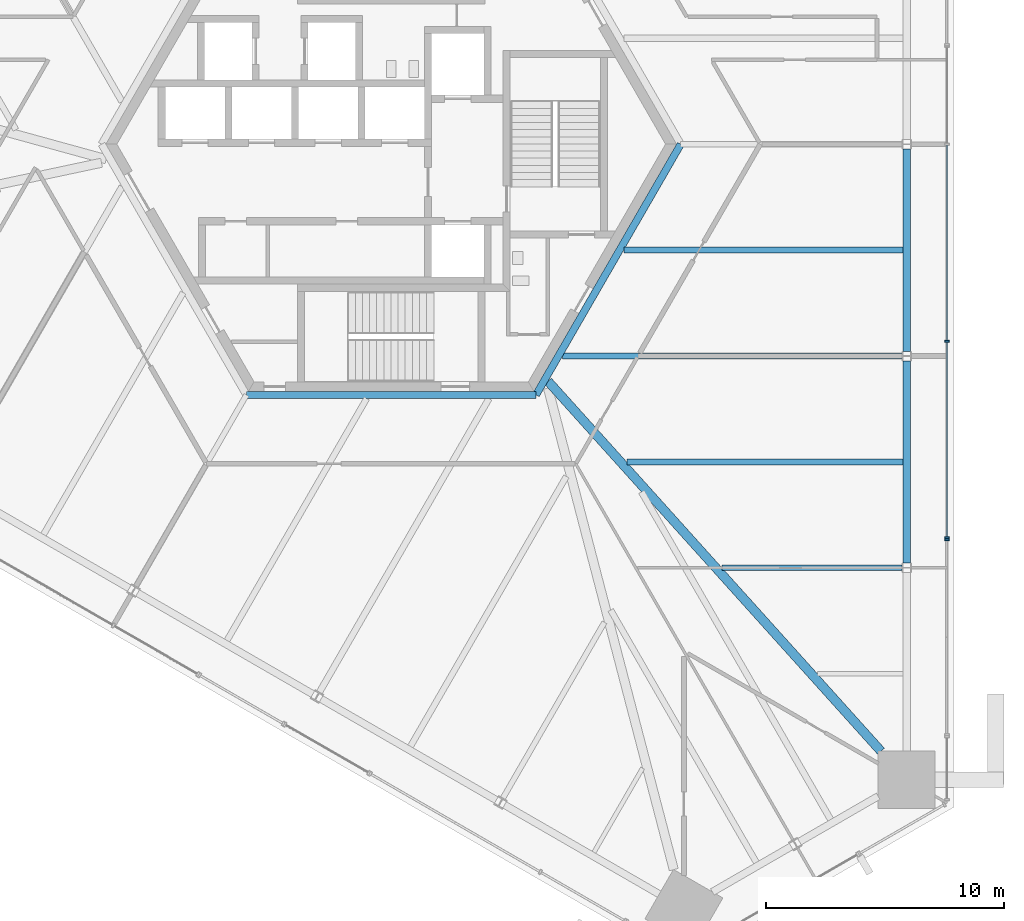
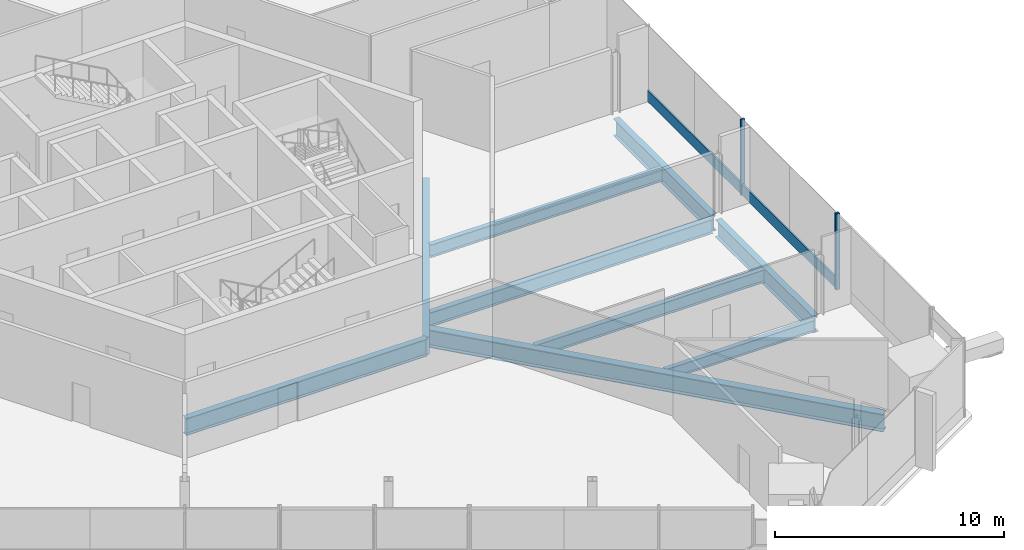
# One storey, part 5 of 22: 9 beams, 5 members, 2 elements without a shape of their own.
"""IFC4 building model written with IfcOpenShell, lengths in metres."""

from ifc_helpers import new_model, si_unit, direction, frame, origin, origin_2d, place, context, subcontext, project, spatial, rectangle, i_section, extrude, source, transform, mapped, material, material_profile, profile_set, type_object, element, aggregate, save


model = new_model("IFC4")

# Units and contexts
model_context = context("Model", 3, precision=1e-05, world=origin(), true_north=direction((0.0, 1.0)))
body_context = subcontext(model_context, "Body", "Model", "MODEL_VIEW")
ifc_project = project(units=[si_unit("LENGTHUNIT", "METRE"), si_unit("AREAUNIT", "SQUARE_METRE"), si_unit("VOLUMEUNIT", "CUBIC_METRE"), si_unit("PLANEANGLEUNIT", "RADIAN"), si_unit("MASSUNIT", "GRAM", prefix="KILO")], contexts=[model_context])

# Site, building, storey
site_placement = place(None, origin())
site = spatial("IfcSite", under=ifc_project, at=site_placement, CompositionType="ELEMENT")
building_placement = place(site_placement, origin())
building = spatial("IfcBuilding", under=site, at=building_placement, Name="Triune Harvest Tower", CompositionType="ELEMENT")
storey_placement = place(building_placement, frame((0.0, 0.0, 50.39990234375)))
storey = spatial("IfcBuildingStorey", under=building, at=storey_placement, Name="L11", CompositionType="ELEMENT", Elevation=50.39990234375)

# Beams
ifc_material_1 = material(Name="Steel ASTM A992 Gr 50", Category="steel")
ifc_material_profile_1 = material_profile(ifc_material_1, i_section(OverallWidth=0.3046875, OverallDepth=0.914306640625, WebThickness=0.0166015625, FlangeThickness=0.02587890625, at=origin_2d()), Name="W36x160")
ifc_profile_set_1 = profile_set([ifc_material_profile_1], Name="Steel ASTM A992 Gr 50")
beam_type_1 = type_object("IfcBeamType", Name="CG-1 Core ring girder W36x160", PredefinedType="BEAM", material=ifc_profile_set_1)
shared_shape_1 = source(origin(), body_context, "Body", "SweptSolid", [
    extrude(i_section(OverallWidth=0.3046875, OverallDepth=0.914306640625, WebThickness=0.0166015625, FlangeThickness=0.02587890625, at=origin_2d()), origin(), (0.0, 0.0, 1.0), 12.176025390625),
])
beam_1_placement = place(storey_placement, frame((6.087890625, -10.544677734375, -0.656982421875), z_axis=(0.5000099932, 0.866019634131, 0.0), x_axis=(-0.866019634131, 0.5000099932, 0.0)))
element("IfcBeam", 1, at=beam_1_placement, inside=storey, type_object=beam_type_1, Name="beam/L11/CG6", PredefinedType="BEAM", context=body_context, shape_type="MappedRepresentation", body=[
    mapped(shared_shape_1, transform((0.0, 0.0, 0.0), scale=1.0)),
])
shared_shape_2 = source(origin(), body_context, "Body", "SweptSolid", [
    extrude(i_section(OverallWidth=0.3046875, OverallDepth=0.914306640625, WebThickness=0.0166015625, FlangeThickness=0.02587890625, at=origin_2d()), origin(), (0.0, 0.0, 1.0), 12.17578125),
])
beam_2_placement = place(storey_placement, frame((-6.087890625, -10.544677734375, -0.656982421875), z_axis=(1.0, 0.0, 0.0), x_axis=(0.0, 1.0, 0.0)))
element("IfcBeam", 2, at=beam_2_placement, inside=storey, type_object=beam_type_1, Name="beam/L11/CG5", PredefinedType="BEAM", context=body_context, shape_type="MappedRepresentation", body=[
    mapped(shared_shape_2, transform((0.0, 0.0, 0.0), scale=1.0)),
])
ifc_material_2 = material(Name="Steel ASTM A992 Gr 50", Category="steel")
ifc_material_profile_2 = material_profile(ifc_material_2, i_section(OverallWidth=0.383544921875, OverallDepth=0.9423828125, WebThickness=0.022216796875, FlangeThickness=0.039794921875, at=origin_2d()), Name="W36x232")
ifc_profile_set_2 = profile_set([ifc_material_profile_2], Name="Steel ASTM A992 Gr 50")
beam_type_2 = type_object("IfcBeamType", Name="HG-1 Hip girder W36x232", PredefinedType="BEAM", material=ifc_profile_set_2)
shared_shape_3 = source(origin(), body_context, "Body", "SweptSolid", [
    extrude(i_section(OverallWidth=0.383544921875, OverallDepth=0.9423828125, WebThickness=0.022216796875, FlangeThickness=0.039794921875, at=origin_2d()), origin(), (0.0, 0.0, 1.0), 20.933349609375),
])
beam_3_placement = place(storey_placement, frame((20.599365234375, -25.530029296875, -0.671142578125), z_axis=(-0.668990505388, 0.743270949049, 0.0), x_axis=(-0.743270949049, -0.668990505388, 0.0)))
element("IfcBeam", 3, at=beam_3_placement, inside=storey, type_object=beam_type_2, Name="beam/L11/HG1", PredefinedType="BEAM", context=body_context, shape_type="MappedRepresentation", body=[
    mapped(shared_shape_3, transform((0.0, 0.0, 0.0), scale=1.0)),
])
ifc_material_3 = material(Name="Steel ASTM A992 Gr 50", Category="steel")
ifc_material_profile_3 = material_profile(ifc_material_3, i_section(OverallWidth=0.22900390625, OverallDepth=0.612060546875, WebThickness=0.011962890625, FlangeThickness=0.01953125, at=origin_2d()), Name="W24x84")
ifc_profile_set_3 = profile_set([ifc_material_profile_3], Name="Steel ASTM A992 Gr 50")
beam_type_3 = type_object("IfcBeamType", Name="JT-3 Floor joist W24x84", PredefinedType="JOIST", material=ifc_profile_set_3)
shared_shape_4 = source(origin(), body_context, "Body", "SweptSolid", [
    extrude(i_section(OverallWidth=0.22900390625, OverallDepth=0.612060546875, WebThickness=0.011962890625, FlangeThickness=0.01953125, at=origin_2d()), origin(), (0.0, 0.0, 1.0), 7.558349609375),
])
beam_4_placement = place(storey_placement, frame((21.476318359375, -17.820068359375, -0.506103515625), z_axis=(-1.0, 0.0, 0.0), x_axis=(0.0, -1.0, 0.0)))
element("IfcBeam", 4, at=beam_4_placement, inside=storey, type_object=beam_type_3, Name="beam/L11/JT2", PredefinedType="JOIST", context=body_context, shape_type="MappedRepresentation", body=[
    mapped(shared_shape_4, transform((0.0, 0.0, 0.0), scale=1.0)),
])
ifc_material_4 = material(Name="Steel ASTM A992 Gr 50", Category="steel")
ifc_material_profile_4 = material_profile(ifc_material_4, i_section(OverallWidth=0.2666015625, OverallDepth=0.7568359375, WebThickness=0.013916015625, FlangeThickness=0.019287109375, at=origin_2d()), Name="W30x108")
ifc_profile_set_4 = profile_set([ifc_material_profile_4], Name="Steel ASTM A992 Gr 50")
beam_type_4 = type_object("IfcBeamType", Name="JT-5 Floor joist W30x108", PredefinedType="JOIST", material=ifc_profile_set_4)
shared_shape_5 = source(origin(), body_context, "Body", "SweptSolid", [
    extrude(i_section(OverallWidth=0.2666015625, OverallDepth=0.7568359375, WebThickness=0.013916015625, FlangeThickness=0.019287109375, at=origin_2d()), origin(), (0.0, 0.0, 1.0), 14.2685546875),
])
beam_5_placement = place(storey_placement, frame((21.476318359375, -8.909912109375, -0.578369140625), z_axis=(-1.0, 0.0, 0.0), x_axis=(0.0, -1.0, 0.0)))
element("IfcBeam", 5, at=beam_5_placement, inside=storey, type_object=beam_type_4, Name="beam/L11/JT4", PredefinedType="JOIST", context=body_context, shape_type="MappedRepresentation", body=[
    mapped(shared_shape_5, transform((0.0, 0.0, 0.0), scale=1.0)),
])
ifc_material_5 = material(Name="Steel ASTM A992 Gr 50", Category="steel")
ifc_material_profile_5 = material_profile(ifc_material_5, i_section(OverallWidth=0.3046875, OverallDepth=0.914306640625, WebThickness=0.0166015625, FlangeThickness=0.02587890625, at=origin_2d()), Name="W36x160")
ifc_profile_set_5 = profile_set([ifc_material_profile_5], Name="Steel ASTM A992 Gr 50")
beam_type_5 = type_object("IfcBeamType", Name="SB-1 Spandrel beam W36x160", PredefinedType="SPANDREL", material=ifc_profile_set_5)
shared_shape_6 = source(origin(), body_context, "Body", "SweptSolid", [
    extrude(i_section(OverallWidth=0.3046875, OverallDepth=0.914306640625, WebThickness=0.0166015625, FlangeThickness=0.02587890625, at=origin_2d()), origin(), (0.0, 0.0, 1.0), 8.50634765625),
])
beam_6_placement = place(storey_placement, frame((21.679443359375, -17.6181640625, -0.656982421875), z_axis=(0.0, 1.0, 0.0), x_axis=(-1.0, 0.0, 0.0)))
element("IfcBeam", 6, at=beam_6_placement, inside=storey, type_object=beam_type_5, Name="beam/L11/SB2", PredefinedType="SPANDREL", context=body_context, shape_type="MappedRepresentation", body=[
    mapped(shared_shape_6, transform((0.0, 0.0, 0.0), scale=1.0)),
])
shared_shape_7 = source(origin(), body_context, "Body", "SweptSolid", [
    extrude(i_section(OverallWidth=0.3046875, OverallDepth=0.914306640625, WebThickness=0.0166015625, FlangeThickness=0.02587890625, at=origin_2d()), origin(), (0.0, 0.0, 1.0), 8.506103515625),
])
beam_7_placement = place(storey_placement, frame((21.679443359375, -8.7080078125, -0.656982421875), z_axis=(0.0, 1.0, 0.0), x_axis=(-1.0, 0.0, 0.0)))
element("IfcBeam", 7, at=beam_7_placement, inside=storey, type_object=beam_type_5, Name="beam/L11/SB3", PredefinedType="SPANDREL", context=body_context, shape_type="MappedRepresentation", body=[
    mapped(shared_shape_7, transform((0.0, 0.0, 0.0), scale=1.0)),
])
ifc_material_6 = material(Name="Steel ASTM A992 Gr 50", Category="steel")
ifc_material_profile_6 = material_profile(ifc_material_6, i_section(OverallWidth=0.253662109375, OverallDepth=0.683349609375, WebThickness=0.012451171875, FlangeThickness=0.01904296875, at=origin_2d()), Name="W27x94")
ifc_profile_set_6 = profile_set([ifc_material_profile_6], Name="Steel ASTM A992 Gr 50")
beam_type_6 = type_object("IfcBeamType", Name="JT-4 Floor joist W27x94", PredefinedType="JOIST", material=ifc_profile_set_6)
shared_shape_8 = source(origin(), body_context, "Body", "SweptSolid", [
    extrude(i_section(OverallWidth=0.253662109375, OverallDepth=0.683349609375, WebThickness=0.012451171875, FlangeThickness=0.01904296875, at=origin_2d()), origin(), (0.0, 0.0, 1.0), 11.619140625),
])
beam_8_placement = place(storey_placement, frame((21.527099609375, -13.364990234375, -0.54150390625), z_axis=(-1.0, 0.0, 0.0), x_axis=(0.0, -1.0, 0.0)))
element("IfcBeam", 8, at=beam_8_placement, inside=storey, type_object=beam_type_6, Name="beam/L11/JT3", PredefinedType="JOIST", context=body_context, shape_type="MappedRepresentation", body=[
    mapped(shared_shape_8, transform((0.0, 0.0, 0.0), scale=1.0)),
])
shared_shape_9 = source(origin(), body_context, "Body", "SweptSolid", [
    extrude(i_section(OverallWidth=0.253662109375, OverallDepth=0.683349609375, WebThickness=0.012451171875, FlangeThickness=0.01904296875, at=origin_2d()), origin(), (0.0, 0.0, 1.0), 11.747314453125),
])
beam_9_placement = place(storey_placement, frame((21.527099609375, -4.455078125, -0.54150390625), z_axis=(-1.0, 0.0, 0.0), x_axis=(0.0, -1.0, 0.0)))
element("IfcBeam", 9, at=beam_9_placement, inside=storey, type_object=beam_type_6, Name="beam/L11/JT5", PredefinedType="JOIST", context=body_context, shape_type="MappedRepresentation", body=[
    mapped(shared_shape_9, transform((0.0, 0.0, 0.0), scale=1.0)),
])

# Curtain wall, member
ifc_material_7 = material(Name="Aluminium bronze anodised", Category="aluminium")
curtain_wall_type_1 = type_object("IfcCurtainWallType", Name="CW-8 Farm floor curtain wall with insulated spandrel infill", PredefinedType="NOTDEFINED", material=ifc_material_7)
curtain_wall_1_placement = place(storey_placement, origin())
curtain_wall_1 = element("IfcCurtainWall", 10, at=curtain_wall_1_placement, inside=storey, type_object=curtain_wall_type_1, Name="CW-8 B1-F1 L11 run 201")
ifc_material_8 = material(Name="Aluminium bronze anodised", Category="aluminium")
ifc_material_profile_7 = material_profile(ifc_material_8, rectangle(XDim=0.199951171875, YDim=0.080078125, at=origin_2d()), Name="MU-3 mullion 80 x 200")
ifc_profile_set_7 = profile_set([ifc_material_profile_7], Name="Aluminium bronze anodised")
member_type_1 = type_object("IfcMemberType", Name="MU-3 mullion 80 x 200", PredefinedType="MULLION", material=ifc_profile_set_7)
shared_shape_10 = source(origin(), body_context, "Body", "SweptSolid", [
    extrude(rectangle(XDim=0.199951171875, YDim=0.080078125, at=origin_2d()), origin(), (0.0, 0.0, 1.0), 4.050048828125),
])
member_1_placement = place(storey_placement, frame((23.371337890625, -16.627685546875, 0.0), z_axis=(0.0, 0.0, 1.0), x_axis=(-1.0, 0.0, 0.0)))
member_1 = element("IfcMember", 11, at=member_1_placement, type_object=member_type_1, Name="CW-8 mullion B1-F1 201.3", PredefinedType="MULLION", context=body_context, shape_type="MappedRepresentation", body=[
    mapped(shared_shape_10, transform((0.0, 0.0, 0.0), scale=1.0)),
])
aggregate(curtain_wall_1, [member_1])

# Curtain wall, members
ifc_material_9 = material(Name="Aluminium bronze anodised", Category="aluminium")
curtain_wall_type_2 = type_object("IfcCurtainWallType", Name="CW-3 Farm floor curtain wall", PredefinedType="NOTDEFINED", material=ifc_material_9)
curtain_wall_2_placement = place(storey_placement, origin())
curtain_wall_2 = element("IfcCurtainWall", 12, at=curtain_wall_2_placement, inside=storey, type_object=curtain_wall_type_2, Name="CW-3 B1-F1 L11 run 1201")
member_2_placement = place(storey_placement, frame((23.371337890625, -16.547607421875, 0.0), z_axis=(0.0, 0.0, 1.0), x_axis=(-1.0, 0.0, 0.0)))
member_2 = element("IfcMember", 13, at=member_2_placement, type_object=member_type_1, Name="CW-3 mullion B1-F1 1201.1", PredefinedType="MULLION", context=body_context, shape_type="MappedRepresentation", body=[
    mapped(shared_shape_10, transform((0.0, 0.0, 0.0), scale=1.0)),
])
member_3_placement = place(storey_placement, frame((23.371337890625, -8.293701171875, 0.0), z_axis=(0.0, 0.0, 1.0), x_axis=(-1.0, 0.0, 0.0)))
member_3 = element("IfcMember", 14, at=member_3_placement, type_object=member_type_1, Name="CW-3 mullion B1-F1 1201.3", PredefinedType="MULLION", context=body_context, shape_type="MappedRepresentation", body=[
    mapped(shared_shape_10, transform((0.0, 0.0, 0.0), scale=1.0)),
])
ifc_material_10 = material(Name="Aluminium bronze anodised", Category="aluminium")
ifc_material_profile_8 = material_profile(ifc_material_10, rectangle(XDim=0.090087890625, YDim=0.60009765625, at=origin_2d()), Name="TR-3 transom 90 x 600")
ifc_profile_set_8 = profile_set([ifc_material_profile_8], Name="Aluminium bronze anodised")
member_type_2 = type_object("IfcMemberType", Name="TR-3 transom 90 x 600", PredefinedType="USERDEFINED", material=ifc_profile_set_8)
shared_shape_11 = source(origin(), body_context, "Body", "SweptSolid", [
    extrude(rectangle(XDim=0.090087890625, YDim=0.60009765625, at=origin_2d()), origin(), (0.0, 0.0, 1.0), 8.173828125),
])
member_4_placement = place(storey_placement, frame((23.371337890625, -16.507568359375, 0.300048828125), z_axis=(0.0, 1.0, 0.0), x_axis=(-1.0, 0.0, 0.0)))
member_4 = element("IfcMember", 15, at=member_4_placement, type_object=member_type_2, Name="CW-3 transom B1-F1 1201.1", ObjectType="TRANSOM", PredefinedType="USERDEFINED", context=body_context, shape_type="MappedRepresentation", body=[
    mapped(shared_shape_11, transform((0.0, 0.0, 0.0), scale=1.0)),
])
shared_shape_12 = source(origin(), body_context, "Body", "SweptSolid", [
    extrude(rectangle(XDim=0.090087890625, YDim=0.60009765625, at=origin_2d()), origin(), (0.0, 0.0, 1.0), 8.2138671875),
])
member_5_placement = place(storey_placement, frame((23.371337890625, -8.25390625, 0.300048828125), z_axis=(0.0, 1.0, 0.0), x_axis=(-1.0, 0.0, 0.0)))
member_5 = element("IfcMember", 16, at=member_5_placement, type_object=member_type_2, Name="CW-3 transom B1-F1 1201.2", ObjectType="TRANSOM", PredefinedType="USERDEFINED", context=body_context, shape_type="MappedRepresentation", body=[
    mapped(shared_shape_12, transform((0.0, 0.0, 0.0), scale=1.0)),
])
aggregate(curtain_wall_2, [member_2, member_3, member_4, member_5])

save(model, "model.ifc")
